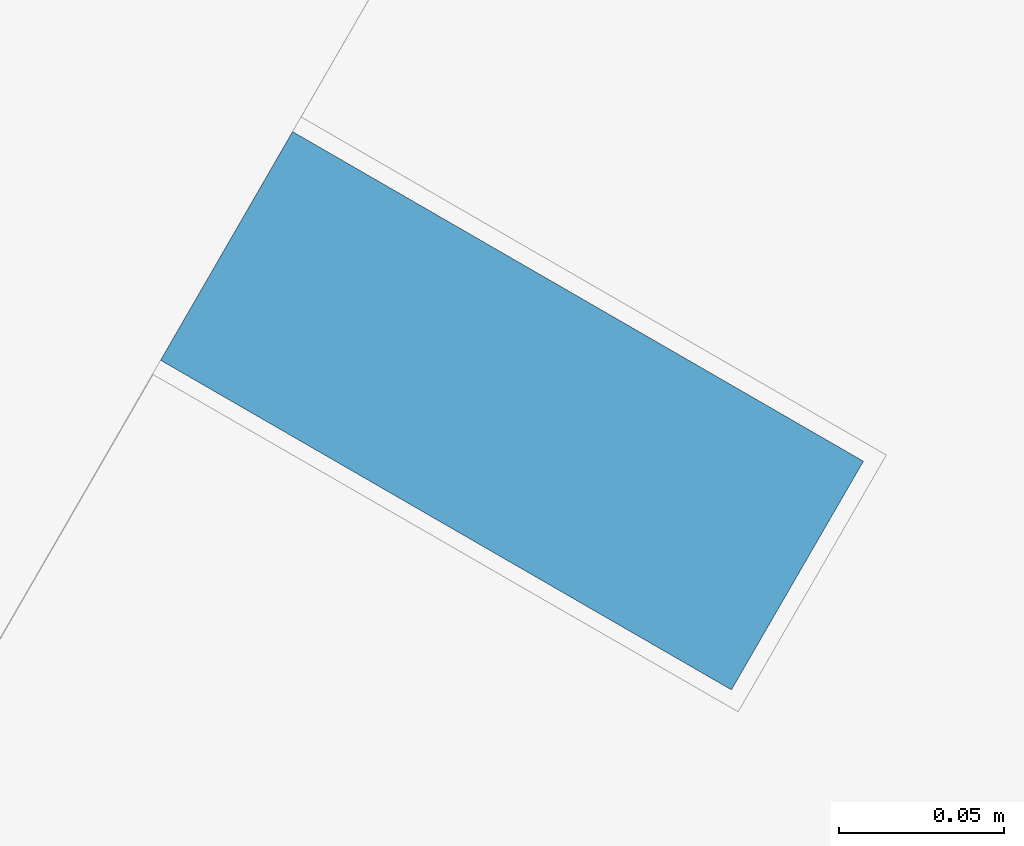
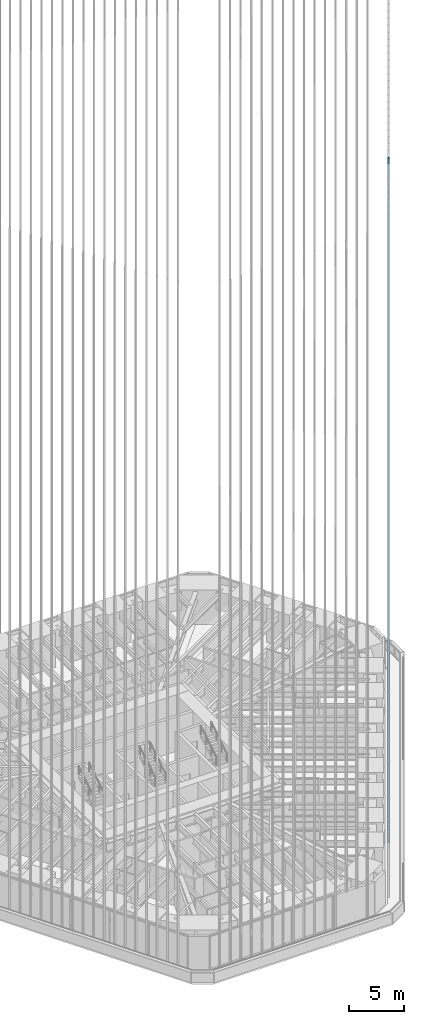
# One storey, part 81 of 238: 1 member, 1 element without a shape of its own.
"""IFC4 building model written with IfcOpenShell, lengths in metres."""

from ifc_helpers import new_model, si_unit, direction, frame, origin, origin_2d, place, context, subcontext, project, spatial, rectangle, extrude, material, material_profile, profile_set, type_object, element, aggregate, save


model = new_model("IFC4")

# Units and contexts
model_context = context("Model", 3, precision=1e-05, world=origin(), true_north=direction((0.0, 1.0)))
body_context = subcontext(model_context, "Body", "Model", "MODEL_VIEW")
ifc_project = project(units=[si_unit("LENGTHUNIT", "METRE"), si_unit("AREAUNIT", "SQUARE_METRE"), si_unit("VOLUMEUNIT", "CUBIC_METRE"), si_unit("PLANEANGLEUNIT", "RADIAN"), si_unit("MASSUNIT", "GRAM", prefix="KILO")], contexts=[model_context])

# Site, building, storey
site_placement = place(None, origin())
site = spatial("IfcSite", under=ifc_project, at=site_placement, CompositionType="ELEMENT")
building_placement = place(site_placement, origin())
building = spatial("IfcBuilding", under=site, at=building_placement, Name="Sandreach Pilgrim Tower", CompositionType="ELEMENT")
storey_placement = place(building_placement, frame((0.0, 0.0, 96.800048828125)))
storey = spatial("IfcBuildingStorey", under=building, at=storey_placement, Name="L23", CompositionType="ELEMENT", Elevation=96.800048828125)

# Curtain wall, member
ifc_material_1 = material(Name="Aluminium framed curtain wall", Category="aluminium")
curtain_wall_type = type_object("IfcCurtainWallType", Name="Hotel tower curtain wall", PredefinedType="NOTDEFINED", material=ifc_material_1)
curtain_wall_placement = place(storey_placement, origin())
curtain_wall = element("IfcCurtainWall", 1, at=curtain_wall_placement, inside=storey, type_object=curtain_wall_type, Name="CW-2 L23 SE", PredefinedType="NOTDEFINED")
ifc_material_2 = material(Name="Extruded terracotta on aluminium core", Category="masonry")
ifc_material_profile = material_profile(ifc_material_2, rectangle(XDim=0.080078125, YDim=0.199951171875, at=origin_2d()), Name="TBE 80X200")
ifc_profile_set = profile_set([ifc_material_profile], Name="Extruded terracotta on aluminium core")
member_type = type_object("IfcMemberType", Name="Terracotta baguette east", PredefinedType="USERDEFINED", material=ifc_profile_set)
member_placement = place(storey_placement, frame((15.423583984375, -19.072998046875, 0.0), z_axis=(0.0, 0.0, 1.0), x_axis=(-0.5, -0.866025403784, 0.0)))
member = element("IfcMember", 2, at=member_placement, type_object=member_type, Name="Baguette Z2 SE25", ObjectType="BAGUETTE", PredefinedType="USERDEFINED", context=body_context, shape_type="SweptSolid", body=[
    extrude(rectangle(XDim=0.080078125, YDim=0.199951171875, at=origin_2d()), origin(), (0.0, 0.0, 1.0), 75.83984375),
])
aggregate(curtain_wall, [member])

save(model, "model.ifc")
